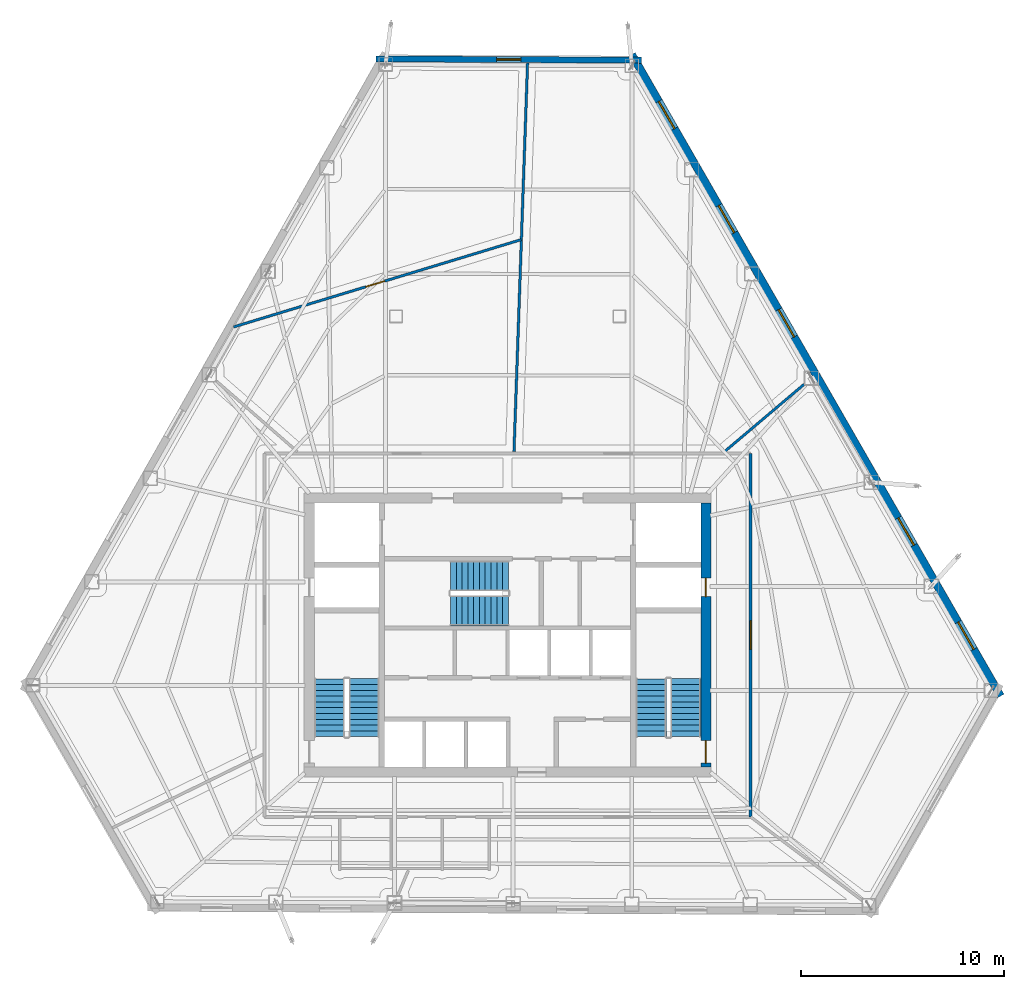
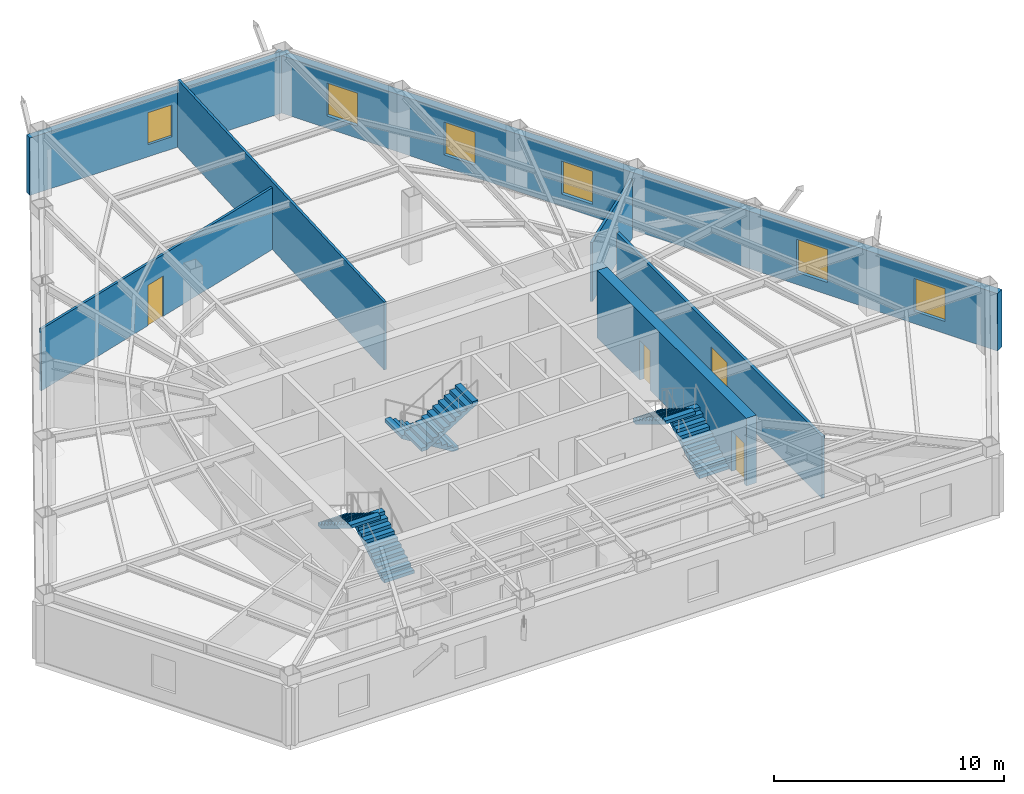
# One storey, part 9 of 13: 7 walls, 6 stair flights, 6 windows, 4 doors, 10 openings, 3 elements without a shape of their own.
"""IFC4 building model written with IfcOpenShell, lengths in metres."""

import ifcopenshell
import ifcopenshell.guid

model = None  # the IFC model being written
_history = None  # IfcOwnerHistory: only IFC2X3 demands one
_inside = {}  # id of a spatial element -> (the spatial element, [elements in it])
_under = {}  # id of a project, library or spatial element -> (it, [spatial elements below it])
_declared = {}  # id of a project -> (the project, [libraries it declares])
_typed = {}  # id of a type object -> (the type object, [elements of that type])
_made_of = {}  # id of a material, layer set ... -> (it, [elements and type objects made of it])


def new_model(schema):
    """Start an empty IFC model of exactly this schema.

    Asked for "IFC4X3", IfcOpenShell would pick the latest addendum, in which some entities
    have other attributes; the version numbers below select the first issue.
    IFC2X3 requires an IfcOwnerHistory on every rooted entity: one is made here for all.
    """
    global model, _history
    if schema == "IFC4X3":
        model = ifcopenshell.file(schema_version=(4, 3, 0, 0))
    else:
        model = ifcopenshell.file(schema=schema)
    _inside.clear()
    _under.clear()
    _declared.clear()
    _typed.clear()
    _made_of.clear()
    _history = None
    if model.schema == "IFC2X3":
        org = make("IfcOrganization", Name="unknown")
        user = make(
            "IfcPersonAndOrganization",
            ThePerson=make("IfcPerson", FamilyName="unknown"),
            TheOrganization=org,
        )
        app = make(
            "IfcApplication",
            ApplicationDeveloper=org,
            Version="unknown",
            ApplicationFullName="unknown",
            ApplicationIdentifier="unknown",
        )
        _history = make(
            "IfcOwnerHistory",
            OwningUser=user,
            OwningApplication=app,
            ChangeAction="ADDED",
            CreationDate=0,
        )
    return model


def make(cls, **values):
    """One entity of the class cls with the attributes given. An attribute that is None is left unset."""
    return model.create_entity(
        cls, **{name: value for name, value in values.items() if value is not None}
    )


def rooted(cls, **values):
    """An entity with a GlobalId (a new one), such as an element, a storey or a relation."""
    return make(cls, GlobalId=ifcopenshell.guid.new(), OwnerHistory=_history, **values)


def si_unit(unit_type, name, prefix=None):
    """IfcSIUnit, for example si_unit("LENGTHUNIT", "METRE", prefix="MILLI")."""
    return make("IfcSIUnit", UnitType=unit_type, Prefix=prefix, Name=name)


def assignment(units):
    """IfcUnitAssignment: the units of a project."""
    return None if units is None else make("IfcUnitAssignment", Units=units)


def point(xyz):
    """IfcCartesianPoint."""
    return None if xyz is None else make("IfcCartesianPoint", Coordinates=xyz)


def direction(xyz):
    """IfcDirection."""
    return None if xyz is None else make("IfcDirection", DirectionRatios=xyz)


def frame(location, z_axis=None, x_axis=None):
    """IfcAxis2Placement3D, a coordinate frame: its origin and axes. An axis left out is left unset."""
    return make(
        "IfcAxis2Placement3D",
        Location=point(location),
        Axis=direction(z_axis),
        RefDirection=direction(x_axis),
    )


def frame_2d(location, x_axis=None):
    """IfcAxis2Placement2D, a coordinate frame in the plane: its origin and x axis."""
    return make(
        "IfcAxis2Placement2D", Location=point(location), RefDirection=direction(x_axis)
    )


def origin():
    """The frame at (0, 0, 0) with its axes left unset."""
    return frame((0.0, 0.0, 0.0))


def place(relative_to, where):
    """IfcLocalPlacement: puts the frame where relative to a parent placement (None: the world)."""
    return make(
        "IfcLocalPlacement", PlacementRelTo=relative_to, RelativePlacement=where
    )


def context(
    kind, dimensions, precision=None, world=None, true_north=None, identifier=None
):
    """IfcGeometricRepresentationContext, for example the 3D "Model" context."""
    return make(
        "IfcGeometricRepresentationContext",
        ContextIdentifier=identifier,
        ContextType=kind,
        CoordinateSpaceDimension=dimensions,
        Precision=precision,
        WorldCoordinateSystem=world,
        TrueNorth=true_north,
    )


def subcontext(parent, identifier, kind, view, scale=None):
    """IfcGeometricRepresentationSubContext, for example "Body" below "Model"."""
    return make(
        "IfcGeometricRepresentationSubContext",
        ContextIdentifier=identifier,
        ContextType=kind,
        ParentContext=parent,
        TargetScale=scale,
        TargetView=view,
    )


def project(units=None, contexts=None):
    """IfcProject with its units and contexts."""
    return rooted(
        "IfcProject",
        Name="project",
        RepresentationContexts=contexts,
        UnitsInContext=assignment(units),
    )


def spatial(cls, under=None, at=None, **own):
    """A site, building, storey or space (cls), placed at a placement, below another one or the project."""
    s = rooted(cls, ObjectPlacement=at, **own)
    if under is not None:
        _under.setdefault(under.id(), (under, []))[1].append(s)
    return s


def polyline(points):
    """IfcPolyline through the points."""
    return make("IfcPolyline", Points=[point(p) for p in points])


def profile(cls, at=None, kind="AREA", **sizes):
    """A parametric profile (cls). Its sizes go by their IFC names, for example OverallWidth=200.0."""
    return make(cls, ProfileType=kind, Position=at, **sizes)


def rectangle(**sizes):
    """IfcRectangleProfileDef."""
    return profile("IfcRectangleProfileDef", **sizes)


def outline(outer, holes=None, kind="AREA"):
    """IfcArbitraryClosedProfileDef: a profile drawn as a closed curve; with holes, ...WithVoids."""
    if holes is None:
        return make("IfcArbitraryClosedProfileDef", ProfileType=kind, OuterCurve=outer)
    return make(
        "IfcArbitraryProfileDefWithVoids",
        ProfileType=kind,
        OuterCurve=outer,
        InnerCurves=holes,
    )


def extrude(swept, where, along, depth):
    """IfcExtrudedAreaSolid: the profile swept, set in the frame where, extruded along a direction by depth."""
    return make(
        "IfcExtrudedAreaSolid",
        SweptArea=swept,
        Position=where,
        ExtrudedDirection=direction(along),
        Depth=depth,
    )


def shape(context_of_items, identifier, shape_type, items):
    """IfcShapeRepresentation: the items that make up one representation, for example the "Body"."""
    return make(
        "IfcShapeRepresentation",
        ContextOfItems=context_of_items,
        RepresentationIdentifier=identifier,
        RepresentationType=shape_type,
        Items=items,
    )


def material(Name=None, Category=None):
    """IfcMaterial."""
    return make("IfcMaterial", Name=Name, Category=Category)


def layer(
    of_material, thickness, ventilated=None, Name=None, Category=None, Priority=None
):
    """IfcMaterialLayer: one layer of a wall or slab, of a material (None: an air gap)."""
    return make(
        "IfcMaterialLayer",
        Material=of_material,
        LayerThickness=thickness,
        IsVentilated=ventilated,
        Name=Name,
        Category=Category,
        Priority=Priority,
    )


def layer_set(layers, Name=None):
    """IfcMaterialLayerSet."""
    return make("IfcMaterialLayerSet", MaterialLayers=layers, LayerSetName=Name)


def made_of(thing, what):
    """Note that an element or type object is made of a material, layer set ...; save() writes the relation."""
    if what is not None:
        _made_of.setdefault(what.id(), (what, []))[1].append(thing)
    return thing


def type_object(cls, material=None, **own):
    """A type object (cls), such as IfcWallType, which elements share."""
    return made_of(rooted(cls, **own), material)


def element(
    cls,
    number,
    at=None,
    inside=None,
    cuts=None,
    type_object=None,
    material=None,
    context=None,
    identifier="Body",
    shape_type=None,
    held_by="IfcProductDefinitionShape",
    body=None,
    shapes=None,
    **own,
):
    """One element of the class cls, such as IfcWall. Its Tag is "e" and its number.

    at: its placement. inside: the storey or other place that contains it. cuts: it is an
    opening in that element (IfcRelVoidsElement). A single representation is given by context,
    identifier, shape_type and body (its items); several are given by shapes. held_by: the class
    of the entity that holds the representations. save() writes the other relations.
    """
    e = rooted(cls, Tag="e%d" % number, ObjectPlacement=at, **own)
    if body is not None:
        shapes = [shape(context, identifier, shape_type, body)]
    if shapes is not None:
        e.Representation = make(held_by, Representations=shapes)
    if inside is not None:
        _inside.setdefault(inside.id(), (inside, []))[1].append(e)
    if cuts is not None:
        rooted(
            "IfcRelVoidsElement", RelatingBuildingElement=cuts, RelatedOpeningElement=e
        )
    if type_object is not None:
        _typed.setdefault(type_object.id(), (type_object, []))[1].append(e)
    return made_of(e, material)


def fill(opening, filler):
    """IfcRelFillsElement: the door or window that sits in an opening."""
    return rooted(
        "IfcRelFillsElement",
        RelatingOpeningElement=opening,
        RelatedBuildingElement=filler,
    )


def aggregate(whole, parts):
    """IfcRelAggregates: a whole, such as a stair, and the parts it consists of."""
    return rooted("IfcRelAggregates", RelatingObject=whole, RelatedObjects=parts)


def save(model, path):
    """Write the relations noted so far, then the file.

    IfcRelAggregates (storeys below a building ...), IfcRelContainedInSpatialStructure (elements
    in a storey), IfcRelDefinesByType, IfcRelAssociatesMaterial and IfcRelDeclares: one each for
    every whole, place, type object, material and project.
    """
    for whole, parts in _under.values():
        aggregate(whole, parts)
    for where, things in _inside.values():
        rooted(
            "IfcRelContainedInSpatialStructure",
            RelatedElements=things,
            RelatingStructure=where,
        )
    for kind, things in _typed.values():
        rooted("IfcRelDefinesByType", RelatedObjects=things, RelatingType=kind)
    for what, things in _made_of.values():
        rooted("IfcRelAssociatesMaterial", RelatedObjects=things, RelatingMaterial=what)
    for by, libraries in _declared.values():
        rooted("IfcRelDeclares", RelatingContext=by, RelatedDefinitions=libraries)
    model.write(path)


model = new_model("IFC4")

# Units and contexts
model_context = context("Model", 3, precision=1e-05, world=origin(), true_north=direction((0.0, 1.0)))
body_context = subcontext(model_context, "Body", "Model", "MODEL_VIEW")
ifc_project = project(units=[si_unit("LENGTHUNIT", "METRE"), si_unit("AREAUNIT", "SQUARE_METRE"), si_unit("VOLUMEUNIT", "CUBIC_METRE"), si_unit("PLANEANGLEUNIT", "RADIAN"), si_unit("MASSUNIT", "GRAM", prefix="KILO")], contexts=[model_context])

# Site, building, storey
site_placement = place(None, origin())
site = spatial("IfcSite", under=ifc_project, at=site_placement, CompositionType="ELEMENT")
building_placement = place(site_placement, origin())
building = spatial("IfcBuilding", under=site, at=building_placement, Name="Kavelnor Concourse Tower", CompositionType="ELEMENT")
storey_placement = place(building_placement, frame((0.0, 0.0, 108.60009765625)))
storey = spatial("IfcBuildingStorey", under=building, at=storey_placement, Name="L27", CompositionType="ELEMENT", Elevation=108.60009765625)

# Wall, openings, doors
ifc_material_1 = material(Name="Concrete C60/75", Category="concrete")
ifc_layer_1 = layer(ifc_material_1, 0.5, Name="Concrete C60/75")
ifc_layer_set_1 = layer_set([ifc_layer_1], Name="Concrete C60/75")
wall_type_1 = type_object("IfcWallType", Name="WL-CORE-Z2-500", PredefinedType="SOLIDWALL", material=ifc_layer_set_1)
wall_1_placement = place(storey_placement, frame((47.77001953125, 9.60009765625, 0.0), z_axis=(0.0, 0.0, 1.0), x_axis=(0.0, 1.0, 0.0)))
wall_1 = element("IfcWall", 1, at=wall_1_placement, inside=storey, type_object=wall_type_1, Name="L27 Central Core East Shear Wall", PredefinedType="SOLIDWALL", context=body_context, shape_type="SweptSolid", body=[
    extrude(rectangle(XDim=13.0, YDim=0.5, at=frame_2d((6.5, 0.0))), origin(), (0.0, 0.0, 1.0), 3.599853515625),
])
opening_1_placement = place(wall_1_placement, frame((0.199951171875, 0.0, 0.0)))
opening_1 = element("IfcOpeningElement", 2, at=opening_1_placement, cuts=wall_1, Name="Opening FD-110", PredefinedType="OPENING", context=body_context, shape_type="SweptSolid", body=[
    extrude(rectangle(XDim=1.10009765625, YDim=2.14990234375, at=frame_2d((0.550048828125, 1.074951171875))), frame((0.0, 0.260009765625, 0.0), z_axis=(0.0, -1.0, 0.0), x_axis=(1.0, 0.0, 0.0)), (0.0, 0.0, 1.0), 0.52001953125),
])
opening_2_placement = place(wall_1_placement, frame((8.39990234375, 0.0, 0.0)))
opening_2 = element("IfcOpeningElement", 3, at=opening_2_placement, cuts=wall_1, Name="Opening FD-090", PredefinedType="OPENING", context=body_context, shape_type="SweptSolid", body=[
    extrude(rectangle(XDim=0.89990234375, YDim=2.10009765625, at=frame_2d((0.449951171875, 1.050048828125))), frame((0.0, 0.260009765625, 0.0), z_axis=(0.0, -1.0, 0.0), x_axis=(1.0, 0.0, 0.0)), (0.0, 0.0, 1.0), 0.52001953125),
])
ifc_material_2 = material(Name="Steel Grade 350", Category="steel")
door_type_1 = type_object("IfcDoorType", Name="DR-RISER-FIRE-900", OperationType="NOTDEFINED", PredefinedType="DOOR", material=ifc_material_2)
door_1_placement = place(opening_2_placement, origin())
door_1 = element("IfcDoor", 4, at=door_1_placement, inside=storey, type_object=door_type_1, Name="L27 East Riser Access Door", OperationType="SINGLE_SWING_LEFT", OverallHeight=2.10009765625, OverallWidth=0.89990234375, PredefinedType="DOOR", context=body_context, shape_type="SweptSolid", body=[
    extrude(rectangle(XDim=0.89990234375, YDim=2.10009765625, at=frame_2d((0.449951171875, 1.050048828125))), frame((0.0, 0.02490234375, 0.0), z_axis=(0.0, -1.0, 0.0), x_axis=(1.0, 0.0, 0.0)), (0.0, 0.0, 1.0), 0.050048828125),
])
fill(opening_2, door_1)
door_type_2 = type_object("IfcDoorType", Name="DR-STAIR-FIRE-1100", OperationType="NOTDEFINED", PredefinedType="DOOR", material=ifc_material_2)
door_2_placement = place(opening_1_placement, origin())
door_2 = element("IfcDoor", 5, at=door_2_placement, inside=storey, type_object=door_type_2, Name="L27 Stair ST2 Fire Door", OperationType="SINGLE_SWING_RIGHT", OverallHeight=2.14990234375, OverallWidth=1.10009765625, PredefinedType="DOOR", context=body_context, shape_type="SweptSolid", body=[
    extrude(rectangle(XDim=1.10009765625, YDim=2.14990234375, at=frame_2d((0.550048828125, 1.074951171875))), frame((0.0, 0.02490234375, 0.0), z_axis=(0.0, -1.0, 0.0), x_axis=(1.0, 0.0, 0.0)), (0.0, 0.0, 1.0), 0.050048828125),
])
fill(opening_1, door_2)

# Wall, opening, window
ifc_material_3 = material(Name="Buff ironspot clay face brick masonry", Category="masonry")
ifc_layer_2 = layer(ifc_material_3, 0.300048828125, Name="Buff ironspot clay face brick masonry")
ifc_layer_set_2 = layer_set([ifc_layer_2], Name="Buff ironspot clay face brick masonry")
wall_type_2 = type_object("IfcWallType", Name="WL-EXT-BUFF-BRICK-FOLD-300", PredefinedType="STANDARD", material=ifc_layer_set_2)
wall_2_placement = place(storey_placement, frame((31.510986328125, 44.476806640625, 0.0), z_axis=(0.0, 0.0, 1.0), x_axis=(0.999986654587, -0.005166299301, 0.0)))
wall_2 = element("IfcWall", 6, at=wall_2_placement, inside=storey, type_object=wall_type_2, Name="L27 Exterior Brick Facade Wall E0", PredefinedType="STANDARD", context=body_context, shape_type="SweptSolid", body=[
    extrude(rectangle(XDim=13.090087890625, YDim=0.300048828125, at=frame_2d((6.544921875, 0.0))), origin(), (0.0, 0.0, 1.0), 3.058837890625),
])
opening_3_placement = place(wall_2_placement, frame((5.94482421875, 0.0, 0.64990234375)))
opening_3 = element("IfcOpeningElement", 7, at=opening_3_placement, cuts=wall_2, Name="Opening W-05", PredefinedType="OPENING", context=body_context, shape_type="SweptSolid", body=[
    extrude(rectangle(XDim=1.199951171875, YDim=1.699951171875, at=frame_2d((0.60009765625, 0.85009765625))), frame((0.0, 0.16015625, 0.0), z_axis=(0.0, -1.0, 0.0), x_axis=(1.0, 0.0, 0.0)), (0.0, 0.0, 1.0), 0.320068359375),
])
ifc_material_4 = material(Name="Double low-E argon insulated glazing", Category="glass")
window_type_1 = type_object("IfcWindowType", Name="WIN-FOLD-1200", PartitioningType="SINGLE_PANEL", PredefinedType="WINDOW", material=ifc_material_4)
window_1_placement = place(opening_3_placement, origin())
window_1 = element("IfcWindow", 8, at=window_1_placement, inside=storey, type_object=window_type_1, Name="L27 Chamfer-Fold Facet Window C0", OverallHeight=1.699951171875, OverallWidth=1.199951171875, PartitioningType="SINGLE_PANEL", PredefinedType="WINDOW", context=body_context, shape_type="SweptSolid", body=[
    extrude(rectangle(XDim=1.199951171875, YDim=1.699951171875, at=frame_2d((0.60009765625, 0.85009765625))), frame((0.0, 0.030029296875, 0.0), z_axis=(0.0, -1.0, 0.0), x_axis=(1.0, 0.0, 0.0)), (0.0, 0.0, 1.0), 0.06005859375),
])
fill(opening_3, window_1)

# Wall, openings, windows
ifc_material_5 = material(Name="Red-ochre clay face brick masonry", Category="masonry")
ifc_layer_3 = layer(ifc_material_5, 0.3798828125, Name="Red-ochre clay face brick masonry")
ifc_layer_set_3 = layer_set([ifc_layer_3], Name="Red-ochre clay face brick masonry")
wall_type_3 = type_object("IfcWallType", Name="WL-EXT-RED-BRICK-PIER-380", PredefinedType="STANDARD", material=ifc_layer_set_3)
wall_3_placement = place(storey_placement, frame((44.1201171875, 44.688720703125, 0.0), z_axis=(0.0, 0.0, 1.0), x_axis=(0.498376840975, -0.866960509124, 0.0)))
wall_3 = element("IfcWall", 9, at=wall_3_placement, inside=storey, type_object=wall_type_3, Name="L27 Exterior Brick Facade Wall E5", PredefinedType="STANDARD", context=body_context, shape_type="SweptSolid", body=[
    extrude(rectangle(XDim=36.440673828125, YDim=0.3798828125, at=frame_2d((18.22021484375, 0.0))), origin(), (0.0, 0.0, 1.0), 3.058837890625),
])
opening_4_placement = place(wall_3_placement, frame((32.23388671875, 0.0, 0.64990234375)))
opening_4 = element("IfcOpeningElement", 10, at=opening_4_placement, cuts=wall_3, Name="Opening W-02", PredefinedType="OPENING", context=body_context, shape_type="SweptSolid", body=[
    extrude(rectangle(XDim=1.550048828125, YDim=1.75, at=frame_2d((0.77490234375, 0.875))), frame((0.0, 0.199951171875, 0.0), z_axis=(0.0, -1.0, 0.0), x_axis=(1.0, 0.0, 0.0)), (0.0, 0.0, 1.0), 0.39990234375),
])
opening_5_placement = place(wall_3_placement, frame((26.31884765625, 0.0, 0.64990234375)))
opening_5 = element("IfcOpeningElement", 11, at=opening_5_placement, cuts=wall_3, Name="Opening W-02", PredefinedType="OPENING", context=body_context, shape_type="SweptSolid", body=[
    extrude(rectangle(XDim=1.550048828125, YDim=1.75, at=frame_2d((0.77490234375, 0.875))), frame((0.0, 0.199951171875, 0.0), z_axis=(0.0, -1.0, 0.0), x_axis=(1.0, 0.0, 0.0)), (0.0, 0.0, 1.0), 0.39990234375),
])
opening_6_placement = place(wall_3_placement, frame((14.488525390625, 0.0, 0.64990234375)))
opening_6 = element("IfcOpeningElement", 12, at=opening_6_placement, cuts=wall_3, Name="Opening W-02", PredefinedType="OPENING", context=body_context, shape_type="SweptSolid", body=[
    extrude(rectangle(XDim=1.550048828125, YDim=1.75, at=frame_2d((0.77490234375, 0.875))), frame((0.0, 0.199951171875, 0.0), z_axis=(0.0, -1.0, 0.0), x_axis=(1.0, 0.0, 0.0)), (0.0, 0.0, 1.0), 0.39990234375),
])
opening_7_placement = place(wall_3_placement, frame((8.573486328125, 0.0, 0.64990234375)))
opening_7 = element("IfcOpeningElement", 13, at=opening_7_placement, cuts=wall_3, Name="Opening W-02", PredefinedType="OPENING", context=body_context, shape_type="SweptSolid", body=[
    extrude(rectangle(XDim=1.550048828125, YDim=1.75, at=frame_2d((0.77490234375, 0.875))), frame((0.0, 0.199951171875, 0.0), z_axis=(0.0, -1.0, 0.0), x_axis=(1.0, 0.0, 0.0)), (0.0, 0.0, 1.0), 0.39990234375),
])
opening_8_placement = place(wall_3_placement, frame((2.658447265625, 0.0, 0.64990234375)))
opening_8 = element("IfcOpeningElement", 14, at=opening_8_placement, cuts=wall_3, Name="Opening W-02", PredefinedType="OPENING", context=body_context, shape_type="SweptSolid", body=[
    extrude(rectangle(XDim=1.550048828125, YDim=1.75, at=frame_2d((0.77490234375, 0.875))), frame((0.0, 0.199951171875, 0.0), z_axis=(0.0, -1.0, 0.0), x_axis=(1.0, 0.0, 0.0)), (0.0, 0.0, 1.0), 0.39990234375),
])
window_type_2 = type_object("IfcWindowType", Name="WIN-PIER-Z2-1650", PartitioningType="SINGLE_PANEL", PredefinedType="WINDOW", material=ifc_material_4)
window_2_placement = place(opening_4_placement, origin())
window_2 = element("IfcWindow", 15, at=window_2_placement, inside=storey, type_object=window_type_2, Name="L27 Deep-Set Brick Pier Window F2-B0", OverallHeight=1.75, OverallWidth=1.550048828125, PartitioningType="SINGLE_PANEL", PredefinedType="WINDOW", context=body_context, shape_type="SweptSolid", body=[
    extrude(rectangle(XDim=1.550048828125, YDim=1.75, at=frame_2d((0.77490234375, 0.875))), frame((0.0, 0.030029296875, 0.0), z_axis=(0.0, -1.0, 0.0), x_axis=(1.0, 0.0, 0.0)), (0.0, 0.0, 1.0), 0.06005859375),
])
fill(opening_4, window_2)
window_3_placement = place(opening_5_placement, origin())
window_3 = element("IfcWindow", 16, at=window_3_placement, inside=storey, type_object=window_type_2, Name="L27 Deep-Set Brick Pier Window F2-B1", OverallHeight=1.75, OverallWidth=1.550048828125, PartitioningType="SINGLE_PANEL", PredefinedType="WINDOW", context=body_context, shape_type="SweptSolid", body=[
    extrude(rectangle(XDim=1.550048828125, YDim=1.75, at=frame_2d((0.77490234375, 0.875))), frame((0.0, 0.030029296875, 0.0), z_axis=(0.0, -1.0, 0.0), x_axis=(1.0, 0.0, 0.0)), (0.0, 0.0, 1.0), 0.06005859375),
])
fill(opening_5, window_3)
window_4_placement = place(opening_6_placement, origin())
window_4 = element("IfcWindow", 17, at=window_4_placement, inside=storey, type_object=window_type_2, Name="L27 Deep-Set Brick Pier Window F2-B3", OverallHeight=1.75, OverallWidth=1.550048828125, PartitioningType="SINGLE_PANEL", PredefinedType="WINDOW", context=body_context, shape_type="SweptSolid", body=[
    extrude(rectangle(XDim=1.550048828125, YDim=1.75, at=frame_2d((0.77490234375, 0.875))), frame((0.0, 0.030029296875, 0.0), z_axis=(0.0, -1.0, 0.0), x_axis=(1.0, 0.0, 0.0)), (0.0, 0.0, 1.0), 0.06005859375),
])
fill(opening_6, window_4)
window_5_placement = place(opening_7_placement, origin())
window_5 = element("IfcWindow", 18, at=window_5_placement, inside=storey, type_object=window_type_2, Name="L27 Deep-Set Brick Pier Window F2-B4", OverallHeight=1.75, OverallWidth=1.550048828125, PartitioningType="SINGLE_PANEL", PredefinedType="WINDOW", context=body_context, shape_type="SweptSolid", body=[
    extrude(rectangle(XDim=1.550048828125, YDim=1.75, at=frame_2d((0.77490234375, 0.875))), frame((0.0, 0.030029296875, 0.0), z_axis=(0.0, -1.0, 0.0), x_axis=(1.0, 0.0, 0.0)), (0.0, 0.0, 1.0), 0.06005859375),
])
fill(opening_7, window_5)
window_6_placement = place(opening_8_placement, origin())
window_6 = element("IfcWindow", 19, at=window_6_placement, inside=storey, type_object=window_type_2, Name="L27 Deep-Set Brick Pier Window F2-B5", OverallHeight=1.75, OverallWidth=1.550048828125, PartitioningType="SINGLE_PANEL", PredefinedType="WINDOW", context=body_context, shape_type="SweptSolid", body=[
    extrude(rectangle(XDim=1.550048828125, YDim=1.75, at=frame_2d((0.77490234375, 0.875))), frame((0.0, 0.030029296875, 0.0), z_axis=(0.0, -1.0, 0.0), x_axis=(1.0, 0.0, 0.0)), (0.0, 0.0, 1.0), 0.06005859375),
])
fill(opening_8, window_6)

# Wall, opening, door
ifc_material_6 = material(Name="Gypsum plasterboard on light-gauge steel studs", Category="steel")
ifc_layer_4 = layer(ifc_material_6, 0.14501953125, Name="Gypsum plasterboard on light-gauge steel studs")
ifc_layer_set_4 = layer_set([ifc_layer_4], Name="Gypsum plasterboard on light-gauge steel studs")
wall_type_4 = type_object("IfcWallType", Name="WL-INT-CORR-145", PredefinedType="PARTITIONING", material=ifc_layer_set_4)
wall_4_placement = place(storey_placement, frame((49.969970703125, 7.14990234375, 0.0), z_axis=(0.0, 0.0, 1.0), x_axis=(0.0, 1.0, 0.0)))
wall_4 = element("IfcWall", 20, at=wall_4_placement, inside=storey, type_object=wall_type_4, Name="L27 Corridor Wall WL-L27-CR-01", PredefinedType="PARTITIONING", context=body_context, shape_type="SweptSolid", body=[
    extrude(rectangle(XDim=17.900146484375, YDim=0.14501953125, at=frame_2d((8.9501953125, 0.0))), origin(), (0.0, 0.0, 1.0), 3.287841796875),
])
opening_9_placement = place(wall_4_placement, frame((8.25, 0.0, 0.0)))
opening_9 = element("IfcOpeningElement", 21, at=opening_9_placement, cuts=wall_4, Name="Opening SD-140", PredefinedType="OPENING", context=body_context, shape_type="SweptSolid", body=[
    extrude(rectangle(XDim=1.39990234375, YDim=2.199951171875, at=frame_2d((0.699951171875, 1.10009765625))), frame((0.0, 0.08251953125, 0.0), z_axis=(0.0, -1.0, 0.0), x_axis=(1.0, 0.0, 0.0)), (0.0, 0.0, 1.0), 0.1650390625),
])
ifc_material_7 = material(Name="Solid-core hardwood timber", Category="wood")
door_type_3 = type_object("IfcDoorType", Name="DR-SUITE-ENTRY-1400", OperationType="NOTDEFINED", PredefinedType="DOOR", material=ifc_material_7)
door_3_placement = place(opening_9_placement, origin())
door_3 = element("IfcDoor", 22, at=door_3_placement, inside=storey, type_object=door_type_3, Name="L27 Staff Breakout Pantry 07 Door", OperationType="SINGLE_SWING_LEFT", OverallHeight=2.199951171875, OverallWidth=1.39990234375, PredefinedType="DOOR", context=body_context, shape_type="SweptSolid", body=[
    extrude(rectangle(XDim=1.39990234375, YDim=2.199951171875, at=frame_2d((0.699951171875, 1.10009765625))), frame((0.0, 0.02490234375, 0.0), z_axis=(0.0, -1.0, 0.0), x_axis=(1.0, 0.0, 0.0)), (0.0, 0.0, 1.0), 0.050048828125),
])
fill(opening_9, door_3)

# Walls
ifc_layer_5 = layer(ifc_material_6, 0.125, Name="Gypsum plasterboard on light-gauge steel studs")
ifc_layer_set_5 = layer_set([ifc_layer_5], Name="Gypsum plasterboard on light-gauge steel studs")
wall_type_5 = type_object("IfcWallType", Name="WL-INT-SUITE-125", PredefinedType="PARTITIONING", material=ifc_layer_set_5)
wall_5_placement = place(storey_placement, frame((48.6787109375, 25.130615234375, 0.0), z_axis=(0.0, 0.0, 1.0), x_axis=(0.763563012799, 0.645733323815, 0.0)))
element("IfcWall", 23, at=wall_5_placement, inside=storey, type_object=wall_type_5, Name="L27 Radial Suite Partition 01", PredefinedType="PARTITIONING", context=body_context, shape_type="SweptSolid", body=[
    extrude(rectangle(XDim=5.13427734375, YDim=0.125, at=frame_2d((2.567138671875, 0.0))), origin(), (0.0, 0.0, 1.0), 3.140869140625),
])
wall_6_placement = place(storey_placement, frame((38.3154296875, 25.130615234375, 0.0), z_axis=(0.0, 0.0, 1.0), x_axis=(0.03489139659, 0.999391109848, 0.0)))
element("IfcWall", 24, at=wall_6_placement, inside=storey, type_object=wall_type_5, Name="L27 Radial Suite Partition 02", PredefinedType="PARTITIONING", context=body_context, shape_type="SweptSolid", body=[
    extrude(rectangle(XDim=19.144287109375, YDim=0.125, at=frame_2d((9.572265625, 0.0))), origin(), (0.0, 0.0, 1.0), 3.599853515625),
])

# Wall, opening, door
wall_7_placement = place(storey_placement, frame((38.6650390625, 35.57177734375, 0.0), z_axis=(0.0, 0.0, 1.0), x_axis=(-0.956891470712, -0.290445714856, 0.0)))
wall_7 = element("IfcWall", 25, at=wall_7_placement, inside=storey, type_object=wall_type_5, Name="L27 Suite Subdivision Partition 02", PredefinedType="PARTITIONING", context=body_context, shape_type="SweptSolid", body=[
    extrude(rectangle(XDim=14.793212890625, YDim=0.125, at=frame_2d((7.396484375, 0.0))), origin(), (0.0, 0.0, 1.0), 3.287841796875),
])
opening_10_placement = place(wall_7_placement, frame((7.016357421875, 0.0, 0.0)))
opening_10 = element("IfcOpeningElement", 26, at=opening_10_placement, cuts=wall_7, Name="Opening OD-098", PredefinedType="OPENING", context=body_context, shape_type="SweptSolid", body=[
    extrude(rectangle(XDim=0.97998046875, YDim=2.14990234375, at=frame_2d((0.489990234375, 1.074951171875))), frame((0.0, 0.072509765625, 0.0), z_axis=(0.0, -1.0, 0.0), x_axis=(1.0, 0.0, 0.0)), (0.0, 0.0, 1.0), 0.14501953125),
])
door_type_4 = type_object("IfcDoorType", Name="DR-OFFICE-980", OperationType="NOTDEFINED", PredefinedType="DOOR", material=ifc_material_7)
door_4_placement = place(opening_10_placement, origin())
door_4 = element("IfcDoor", 27, at=door_4_placement, inside=storey, type_object=door_type_4, Name="L27 Workplace Open Office 03 Door", OperationType="SINGLE_SWING_LEFT", OverallHeight=2.14990234375, OverallWidth=0.97998046875, PredefinedType="DOOR", context=body_context, shape_type="SweptSolid", body=[
    extrude(rectangle(XDim=0.97998046875, YDim=2.14990234375, at=frame_2d((0.489990234375, 1.074951171875))), frame((0.0, 0.02490234375, 0.0), z_axis=(0.0, -1.0, 0.0), x_axis=(1.0, 0.0, 0.0)), (0.0, 0.0, 1.0), 0.050048828125),
])
fill(opening_10, door_4)

# Stair, stair flights
ifc_material_8 = material(Name="Concrete C40/50", Category="concrete")
stair_type = type_object("IfcStairType", Name="STR-CORE-1500", PredefinedType="HALF_TURN_STAIR", material=ifc_material_8)
stair_1_placement = place(storey_placement, origin())
stair_1 = element("IfcStair", 28, at=stair_1_placement, inside=storey, type_object=stair_type, Name="L27 ST1", PredefinedType="HALF_TURN_STAIR")
stair_flight_type = type_object("IfcStairFlightType", Name="STR-FLIGHT-1500", PredefinedType="STRAIGHT", material=ifc_material_8)
stair_flight_1_placement = place(storey_placement, frame((30.929931640625, 11.10009765625, 0.0), z_axis=(0.0, 0.0, 1.0), x_axis=(0.0, 1.0, 0.0)))
stair_flight_1 = element("IfcStairFlight", 29, at=stair_flight_1_placement, type_object=stair_flight_type, Name="ST1 flight 1", NumberOfRisers=11, NumberOfTreads=10, PredefinedType="STRAIGHT", RiserHeight=0.175, TreadLength=0.285, context=body_context, shape_type="SweptSolid", body=[
    extrude(outline(polyline([(0.0, 0.0), (0.0, 0.175048828125), (0.284912109375, 0.175048828125), (0.284912109375, 0.35009765625), (0.570068359375, 0.35009765625), (0.570068359375, 0.52490234375), (0.85498046875, 0.52490234375), (0.85498046875, 0.699951171875), (1.139892578125, 0.699951171875), (1.139892578125, 0.875), (1.425048828125, 0.875), (1.425048828125, 1.050048828125), (1.7099609375, 1.050048828125), (1.7099609375, 1.22509765625), (1.9951171875, 1.22509765625), (1.9951171875, 1.39990234375), (2.280029296875, 1.39990234375), (2.280029296875, 1.574951171875), (2.56494140625, 1.574951171875), (2.56494140625, 1.75), (2.85009765625, 1.75), (2.85009765625, 1.925048828125), (2.85009765625, 1.573974609375), (0.286376953125, 0.0), (0.0, 0.0)])), frame((0.0, 0.75, 0.0), z_axis=(0.0, -1.0, 0.0), x_axis=(1.0, 0.0, 0.0)), (0.0, 0.0, 1.0), 1.5),
])
stair_flight_2_placement = place(storey_placement, frame((29.22998046875, 13.949951171875, 1.9248046875), z_axis=(0.0, 0.0, 1.0), x_axis=(0.0, -1.0, 0.0)))
stair_flight_2 = element("IfcStairFlight", 30, at=stair_flight_2_placement, type_object=stair_flight_type, Name="ST1 flight 2", NumberOfRisers=11, NumberOfTreads=10, PredefinedType="STRAIGHT", RiserHeight=0.175, TreadLength=0.285, context=body_context, shape_type="SweptSolid", body=[
    extrude(outline(polyline([(0.0, 0.0), (0.0, 0.175048828125), (0.284912109375, 0.175048828125), (0.284912109375, 0.35009765625), (0.570068359375, 0.35009765625), (0.570068359375, 0.52490234375), (0.85498046875, 0.52490234375), (0.85498046875, 0.699951171875), (1.139892578125, 0.699951171875), (1.139892578125, 0.875), (1.425048828125, 0.875), (1.425048828125, 1.050048828125), (1.7099609375, 1.050048828125), (1.7099609375, 1.22509765625), (1.9951171875, 1.22509765625), (1.9951171875, 1.39990234375), (2.280029296875, 1.39990234375), (2.280029296875, 1.574951171875), (2.56494140625, 1.574951171875), (2.56494140625, 1.75), (2.85009765625, 1.75), (2.85009765625, 1.925048828125), (2.85009765625, 1.573974609375), (0.286376953125, 0.0), (0.0, 0.0)])), frame((0.0, 0.75, 0.0), z_axis=(0.0, -1.0, 0.0), x_axis=(1.0, 0.0, 0.0)), (0.0, 0.0, 1.0), 1.5),
])
aggregate(stair_1, [stair_flight_1, stair_flight_2])

stair_2_placement = place(storey_placement, origin())
stair_2 = element("IfcStair", 31, at=stair_2_placement, inside=storey, type_object=stair_type, Name="L27 ST2", PredefinedType="HALF_TURN_STAIR")
stair_flight_3_placement = place(storey_placement, frame((46.77001953125, 11.10009765625, 0.0), z_axis=(0.0, 0.0, 1.0), x_axis=(0.0, 1.0, 0.0)))
stair_flight_3 = element("IfcStairFlight", 32, at=stair_flight_3_placement, type_object=stair_flight_type, Name="ST2 flight 1", NumberOfRisers=11, NumberOfTreads=10, PredefinedType="STRAIGHT", RiserHeight=0.175, TreadLength=0.285, context=body_context, shape_type="SweptSolid", body=[
    extrude(outline(polyline([(0.0, 0.0), (0.0, 0.175048828125), (0.284912109375, 0.175048828125), (0.284912109375, 0.35009765625), (0.570068359375, 0.35009765625), (0.570068359375, 0.52490234375), (0.85498046875, 0.52490234375), (0.85498046875, 0.699951171875), (1.139892578125, 0.699951171875), (1.139892578125, 0.875), (1.425048828125, 0.875), (1.425048828125, 1.050048828125), (1.7099609375, 1.050048828125), (1.7099609375, 1.22509765625), (1.9951171875, 1.22509765625), (1.9951171875, 1.39990234375), (2.280029296875, 1.39990234375), (2.280029296875, 1.574951171875), (2.56494140625, 1.574951171875), (2.56494140625, 1.75), (2.85009765625, 1.75), (2.85009765625, 1.925048828125), (2.85009765625, 1.573974609375), (0.286376953125, 0.0), (0.0, 0.0)])), frame((0.0, 0.75, 0.0), z_axis=(0.0, -1.0, 0.0), x_axis=(1.0, 0.0, 0.0)), (0.0, 0.0, 1.0), 1.5),
])
stair_flight_4_placement = place(storey_placement, frame((45.070068359375, 13.949951171875, 1.9248046875), z_axis=(0.0, 0.0, 1.0), x_axis=(0.0, -1.0, 0.0)))
stair_flight_4 = element("IfcStairFlight", 33, at=stair_flight_4_placement, type_object=stair_flight_type, Name="ST2 flight 2", NumberOfRisers=11, NumberOfTreads=10, PredefinedType="STRAIGHT", RiserHeight=0.175, TreadLength=0.285, context=body_context, shape_type="SweptSolid", body=[
    extrude(outline(polyline([(0.0, 0.0), (0.0, 0.175048828125), (0.284912109375, 0.175048828125), (0.284912109375, 0.35009765625), (0.570068359375, 0.35009765625), (0.570068359375, 0.52490234375), (0.85498046875, 0.52490234375), (0.85498046875, 0.699951171875), (1.139892578125, 0.699951171875), (1.139892578125, 0.875), (1.425048828125, 0.875), (1.425048828125, 1.050048828125), (1.7099609375, 1.050048828125), (1.7099609375, 1.22509765625), (1.9951171875, 1.22509765625), (1.9951171875, 1.39990234375), (2.280029296875, 1.39990234375), (2.280029296875, 1.574951171875), (2.56494140625, 1.574951171875), (2.56494140625, 1.75), (2.85009765625, 1.75), (2.85009765625, 1.925048828125), (2.85009765625, 1.573974609375), (0.286376953125, 0.0), (0.0, 0.0)])), frame((0.0, 0.75, 0.0), z_axis=(0.0, -1.0, 0.0), x_axis=(1.0, 0.0, 0.0)), (0.0, 0.0, 1.0), 1.5),
])
aggregate(stair_2, [stair_flight_3, stair_flight_4])

stair_3_placement = place(storey_placement, origin())
stair_3 = element("IfcStair", 34, at=stair_3_placement, inside=storey, type_object=stair_type, Name="L27 ST3", PredefinedType="HALF_TURN_STAIR")
stair_flight_5_placement = place(storey_placement, frame((38.0400390625, 19.010009765625, 0.0), z_axis=(0.0, 0.0, 1.0), x_axis=(-1.0, 0.0, 0.0)))
stair_flight_5 = element("IfcStairFlight", 35, at=stair_flight_5_placement, type_object=stair_flight_type, Name="ST3 flight 1", NumberOfRisers=11, NumberOfTreads=10, PredefinedType="STRAIGHT", RiserHeight=0.175, TreadLength=0.285, context=body_context, shape_type="SweptSolid", body=[
    extrude(outline(polyline([(0.0, 0.0), (0.0, 0.175048828125), (0.284912109375, 0.175048828125), (0.284912109375, 0.35009765625), (0.570068359375, 0.35009765625), (0.570068359375, 0.52490234375), (0.85498046875, 0.52490234375), (0.85498046875, 0.699951171875), (1.139892578125, 0.699951171875), (1.139892578125, 0.875), (1.425048828125, 0.875), (1.425048828125, 1.050048828125), (1.7099609375, 1.050048828125), (1.7099609375, 1.22509765625), (1.9951171875, 1.22509765625), (1.9951171875, 1.39990234375), (2.280029296875, 1.39990234375), (2.280029296875, 1.574951171875), (2.56494140625, 1.574951171875), (2.56494140625, 1.75), (2.85009765625, 1.75), (2.85009765625, 1.925048828125), (2.85009765625, 1.573974609375), (0.286376953125, 0.0), (0.0, 0.0)])), frame((0.0, 0.75, 0.0), z_axis=(0.0, -1.0, 0.0), x_axis=(1.0, 0.0, 0.0)), (0.0, 0.0, 1.0), 1.5),
])
stair_flight_6_placement = place(storey_placement, frame((35.18994140625, 17.31005859375, 1.9248046875), z_axis=(0.0, 0.0, 1.0), x_axis=(1.0, 0.0, 0.0)))
stair_flight_6 = element("IfcStairFlight", 36, at=stair_flight_6_placement, type_object=stair_flight_type, Name="ST3 flight 2", NumberOfRisers=11, NumberOfTreads=10, PredefinedType="STRAIGHT", RiserHeight=0.175, TreadLength=0.285, context=body_context, shape_type="SweptSolid", body=[
    extrude(outline(polyline([(0.0, 0.0), (0.0, 0.175048828125), (0.284912109375, 0.175048828125), (0.284912109375, 0.35009765625), (0.570068359375, 0.35009765625), (0.570068359375, 0.52490234375), (0.85498046875, 0.52490234375), (0.85498046875, 0.699951171875), (1.139892578125, 0.699951171875), (1.139892578125, 0.875), (1.425048828125, 0.875), (1.425048828125, 1.050048828125), (1.7099609375, 1.050048828125), (1.7099609375, 1.22509765625), (1.9951171875, 1.22509765625), (1.9951171875, 1.39990234375), (2.280029296875, 1.39990234375), (2.280029296875, 1.574951171875), (2.56494140625, 1.574951171875), (2.56494140625, 1.75), (2.85009765625, 1.75), (2.85009765625, 1.925048828125), (2.85009765625, 1.573974609375), (0.286376953125, 0.0), (0.0, 0.0)])), frame((0.0, 0.75, 0.0), z_axis=(0.0, -1.0, 0.0), x_axis=(1.0, 0.0, 0.0)), (0.0, 0.0, 1.0), 1.5),
])
aggregate(stair_3, [stair_flight_5, stair_flight_6])

save(model, "model.ifc")
